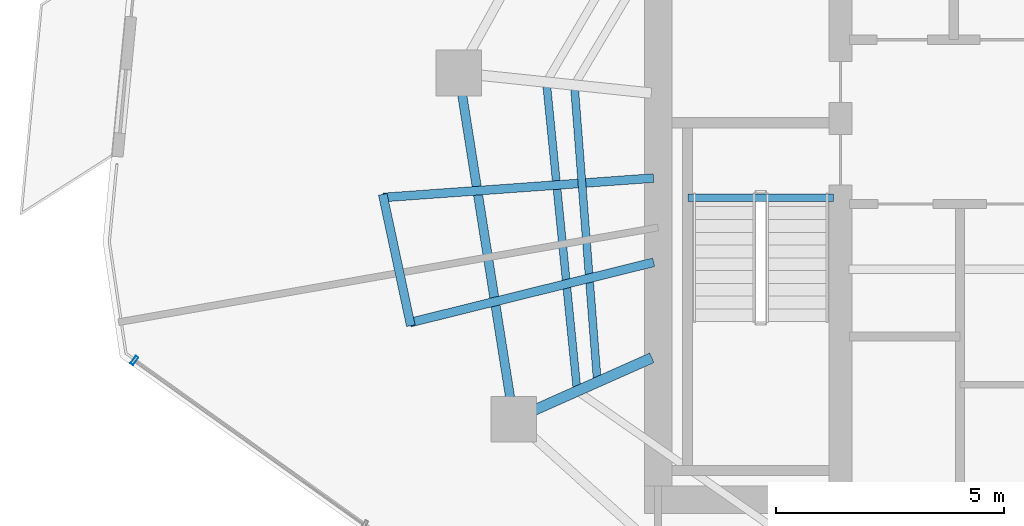
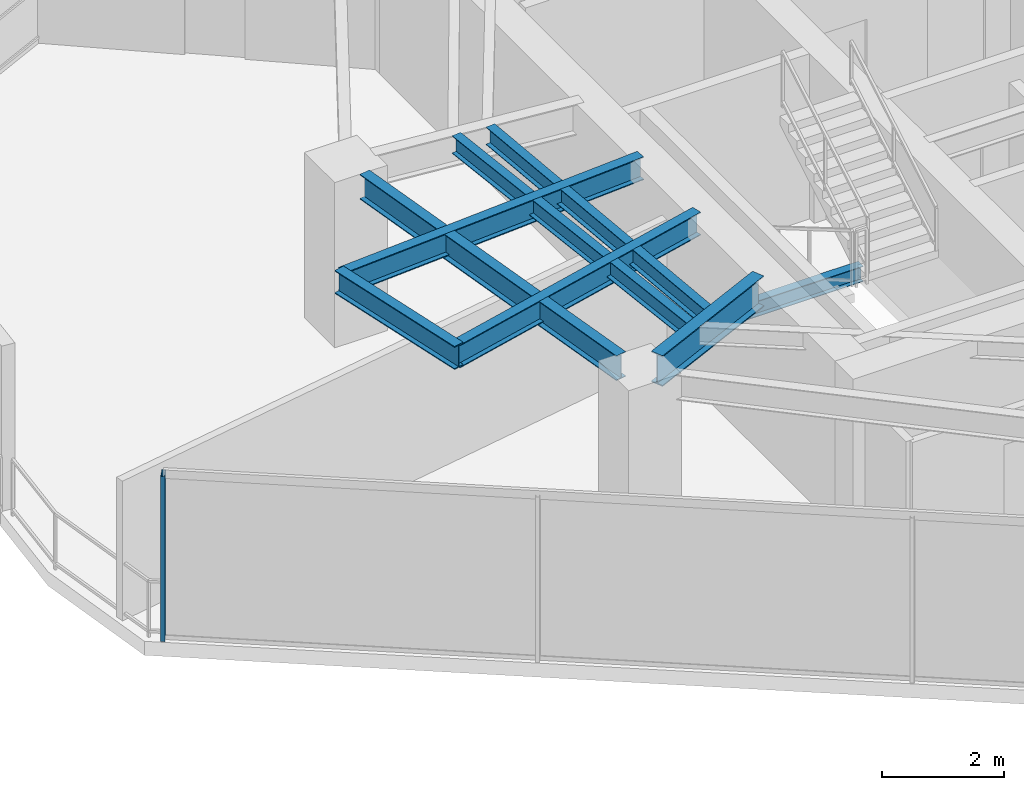
# One storey, part 6 of 21: 8 beams, 1 member, 1 element without a shape of its own.
"""IFC4 building model written with IfcOpenShell, lengths in metres."""

from ifc_helpers import new_model, si_unit, direction, frame, origin, origin_2d, place, context, subcontext, project, spatial, hollow_rectangle, i_section, extrude, material, layer, layer_set, material_profile, profile_set, type_object, element, aggregate, save


model = new_model("IFC4")

# Units and contexts
model_context = context("Model", 3, precision=1e-05, world=origin(), true_north=direction((0.0, 1.0)))
body_context = subcontext(model_context, "Body", "Model", "MODEL_VIEW")
ifc_project = project(units=[si_unit("LENGTHUNIT", "METRE"), si_unit("AREAUNIT", "SQUARE_METRE"), si_unit("VOLUMEUNIT", "CUBIC_METRE"), si_unit("PLANEANGLEUNIT", "RADIAN"), si_unit("MASSUNIT", "GRAM", prefix="KILO")], contexts=[model_context])

# Site, building, storey
site_placement = place(None, origin())
site = spatial("IfcSite", under=ifc_project, at=site_placement, CompositionType="ELEMENT")
building_placement = place(site_placement, origin())
building = spatial("IfcBuilding", under=site, at=building_placement, Name="Qarnah Convention Tower", CompositionType="ELEMENT")
storey_placement = place(building_placement, frame((0.0, 0.0, 158.10009765625)))
storey = spatial("IfcBuildingStorey", under=building, at=storey_placement, Name="L42", CompositionType="ELEMENT", Elevation=158.10009765625)

# Beams
ifc_material_1 = material(Name="Structural steel S355JR", Category="steel")
ifc_material_profile_1 = material_profile(ifc_material_1, i_section(OverallWidth=0.19189453125, OverallDepth=0.464111328125, WebThickness=0.010986328125, FlangeThickness=0.01806640625, at=origin_2d()), Name="W460X89")
ifc_profile_set_1 = profile_set([ifc_material_profile_1], Name="Structural steel S355JR")
beam_type_1 = type_object("IfcBeamType", Name="BM-CANT-W460A", PredefinedType="BEAM", material=ifc_profile_set_1)
beam_1_placement = place(storey_placement, frame((26.699951171875, 25.64794921875, 3.087890625), z_axis=(-0.997431478283, -0.071627132639, 0.0), x_axis=(0.071627132639, -0.997431478283, 0.0)))
element("IfcBeam", 1, at=beam_1_placement, inside=storey, type_object=beam_type_1, Name="L42 beam BM-L42-CNT-02-1", PredefinedType="BEAM", context=body_context, shape_type="SweptSolid", body=[
    extrude(i_section(OverallWidth=0.19189453125, OverallDepth=0.464111328125, WebThickness=0.010986328125, FlangeThickness=0.01806640625, at=origin_2d()), origin(), (0.0, 0.0, 1.0), 5.93408203125),
])
beam_2_placement = place(storey_placement, frame((26.702880859375, 23.802001953125, 3.087890625), z_axis=(-0.970704086067, -0.240278124872, 0.0), x_axis=(0.240278124872, -0.970704086067, 0.0)))
element("IfcBeam", 2, at=beam_2_placement, inside=storey, type_object=beam_type_1, Name="L42 beam BM-L42-CNT-02-2", PredefinedType="BEAM", context=body_context, shape_type="SweptSolid", body=[
    extrude(i_section(OverallWidth=0.19189453125, OverallDepth=0.464111328125, WebThickness=0.010986328125, FlangeThickness=0.01806640625, at=origin_2d()), origin(), (0.0, 0.0, 1.0), 5.498046875),
])
beam_3_placement = place(storey_placement, frame((20.76611328125, 25.291015625, 3.087890625), z_axis=(0.208973836363, -0.977921231857, 0.0), x_axis=(0.977921231857, 0.208973836363, 0.0)))
element("IfcBeam", 3, at=beam_3_placement, inside=storey, type_object=beam_type_1, Name="L42 spandrel BM-L42-CTIE-02", PredefinedType="SPANDREL", context=body_context, shape_type="SweptSolid", body=[
    extrude(i_section(OverallWidth=0.19189453125, OverallDepth=0.464111328125, WebThickness=0.010986328125, FlangeThickness=0.01806640625, at=origin_2d()), origin(), (0.0, 0.0, 1.0), 2.94287109375),
])
ifc_material_profile_2 = material_profile(ifc_material_1, i_section(OverallWidth=0.166015625, OverallDepth=0.31201171875, WebThickness=0.007080078125, FlangeThickness=0.010986328125, at=origin_2d()), Name="W310X45")
ifc_profile_set_2 = profile_set([ifc_material_profile_2], Name="Structural steel S355JR")
beam_type_2 = type_object("IfcBeamType", Name="BM-JST-W310", PredefinedType="JOIST", material=ifc_profile_set_2)
beam_4_placement = place(storey_placement, frame((27.4599609375, 25.217041015625, -0.156005859375), z_axis=(1.0, 0.0, 0.0), x_axis=(0.0, 1.0, 0.0)))
element("IfcBeam", 4, at=beam_4_placement, inside=storey, type_object=beam_type_2, Name="L42 stair landing trimmer beam BM-L42-ST1-TRM", PredefinedType="BEAM", context=body_context, shape_type="SweptSolid", body=[
    extrude(i_section(OverallWidth=0.166015625, OverallDepth=0.31201171875, WebThickness=0.007080078125, FlangeThickness=0.010986328125, at=origin_2d()), origin(), (0.0, 0.0, 1.0), 3.179931640625),
])
ifc_material_profile_3 = material_profile(ifc_material_1, i_section(OverallWidth=0.172119140625, OverallDepth=0.35595703125, WebThickness=0.007080078125, FlangeThickness=0.011962890625, at=origin_2d()), Name="W360X51")
ifc_profile_set_3 = profile_set([ifc_material_profile_3], Name="Structural steel S355JR")
beam_type_3 = type_object("IfcBeamType", Name="BM-JST-W360", PredefinedType="JOIST", material=ifc_profile_set_3)
beam_5_placement = place(storey_placement, frame((24.362060546875, 27.659912109375, 3.141845703125), z_axis=(0.099058399416, -0.995081621529, 0.0), x_axis=(0.995081621529, 0.099058399416, 0.0)))
element("IfcBeam", 5, at=beam_5_placement, inside=storey, type_object=beam_type_3, Name="L42 joist BM-L42-SJST-05", PredefinedType="JOIST", context=body_context, shape_type="SweptSolid", body=[
    extrude(i_section(OverallWidth=0.172119140625, OverallDepth=0.35595703125, WebThickness=0.007080078125, FlangeThickness=0.011962890625, at=origin_2d()), origin(), (0.0, 0.0, 1.0), 6.622314453125),
])
beam_6_placement = place(storey_placement, frame((24.971923828125, 27.595947265625, 3.141845703125), z_axis=(0.07735538429, -0.997003583003, 0.0), x_axis=(0.997003583003, 0.07735538429, 0.0)))
element("IfcBeam", 6, at=beam_6_placement, inside=storey, type_object=beam_type_3, Name="L42 joist BM-L42-IJST-05", PredefinedType="JOIST", context=body_context, shape_type="SweptSolid", body=[
    extrude(i_section(OverallWidth=0.172119140625, OverallDepth=0.35595703125, WebThickness=0.007080078125, FlangeThickness=0.011962890625, at=origin_2d()), origin(), (0.0, 0.0, 1.0), 6.346923828125),
])
ifc_material_profile_4 = material_profile(ifc_material_1, i_section(OverallWidth=0.22998046875, OverallDepth=0.617919921875, WebThickness=0.012939453125, FlangeThickness=0.02197265625, at=origin_2d()), Name="W610X140")
ifc_profile_set_4 = profile_set([ifc_material_profile_4], Name="Structural steel S355JR")
beam_type_4 = type_object("IfcBeamType", Name="BM-RAD-W610A", PredefinedType="BEAM", material=ifc_profile_set_4)
beam_7_placement = place(storey_placement, frame((26.6630859375, 21.708984375, 3.010986328125), z_axis=(-0.913488265638, -0.406865074123, 0.0), x_axis=(0.406865074123, -0.913488265638, 0.0)))
element("IfcBeam", 7, at=beam_7_placement, inside=storey, type_object=beam_type_4, Name="L42 beam BM-L42-RAD-06", PredefinedType="BEAM", context=body_context, shape_type="SweptSolid", body=[
    extrude(i_section(OverallWidth=0.22998046875, OverallDepth=0.617919921875, WebThickness=0.012939453125, FlangeThickness=0.02197265625, at=origin_2d()), origin(), (0.0, 0.0, 1.0), 2.83642578125),
])
ifc_material_profile_5 = material_profile(ifc_material_1, i_section(OverallWidth=0.199951171875, OverallDepth=0.5, WebThickness=0.010009765625, FlangeThickness=0.01611328125, at=origin_2d()), Name="IPE500")
ifc_profile_set_5 = profile_set([ifc_material_profile_5], Name="Structural steel S355JR")
beam_type_5 = type_object("IfcBeamType", Name="BM-SPN-IPE500", PredefinedType="SPANDREL", material=ifc_profile_set_5)
beam_8_placement = place(storey_placement, frame((22.508056640625, 27.468017578125, 3.06982421875), z_axis=(0.156388773261, -0.987695576379, 0.0), x_axis=(0.987695576379, 0.156388773261, 0.0)))
element("IfcBeam", 8, at=beam_8_placement, inside=storey, type_object=beam_type_5, Name="L42 spandrel BM-L42-SPN-05", PredefinedType="SPANDREL", context=body_context, shape_type="SweptSolid", body=[
    extrude(i_section(OverallWidth=0.199951171875, OverallDepth=0.5, WebThickness=0.010009765625, FlangeThickness=0.01611328125, at=origin_2d()), origin(), (0.0, 0.0, 1.0), 6.70654296875),
])

# Curtain wall, member
ifc_material_2 = material(Name="Tempered Low-E dark glass", Category="glass")
ifc_layer = layer(ifc_material_2, 0.172119140625)
ifc_layer_set = layer_set([ifc_layer], Name="Tempered Low-E dark glass")
curtain_wall_type = type_object("IfcCurtainWallType", Name="CWS-03", PredefinedType="NOTDEFINED", material=ifc_layer_set)
curtain_wall_placement = place(storey_placement, origin())
curtain_wall = element("IfcCurtainWall", 9, at=curtain_wall_placement, inside=storey, type_object=curtain_wall_type, Name="L42 unitised curtain wall CW-L42-F2", PredefinedType="NOTDEFINED")
ifc_material_3 = material(Name="Black anodised aluminium", Category="aluminium")
ifc_material_profile_6 = material_profile(ifc_material_3, hollow_rectangle(XDim=0.070068359375, YDim=0.199951171875, WallThickness=0.0048828125, at=origin_2d()), Name="MUL-70X200")
ifc_profile_set_6 = profile_set([ifc_material_profile_6], Name="Black anodised aluminium")
member_type = type_object("IfcMemberType", Name="MUL-T3", PredefinedType="MULLION", material=ifc_profile_set_6)
member_placement = place(storey_placement, frame((15.322998046875, 21.64990234375, 0.0), z_axis=(0.0, 0.0, 1.0), x_axis=(-0.81391448901, 0.580984685322, 0.0)))
member = element("IfcMember", 10, at=member_placement, type_object=member_type, Name="CW-L42-F2 mullion 6", PredefinedType="MULLION", context=body_context, shape_type="SweptSolid", body=[
    extrude(hollow_rectangle(XDim=0.070068359375, YDim=0.199951171875, WallThickness=0.0048828125, at=origin_2d()), origin(), (0.0, 0.0, 1.0), 3.31982421875),
])
aggregate(curtain_wall, [member])

save(model, "model.ifc")
